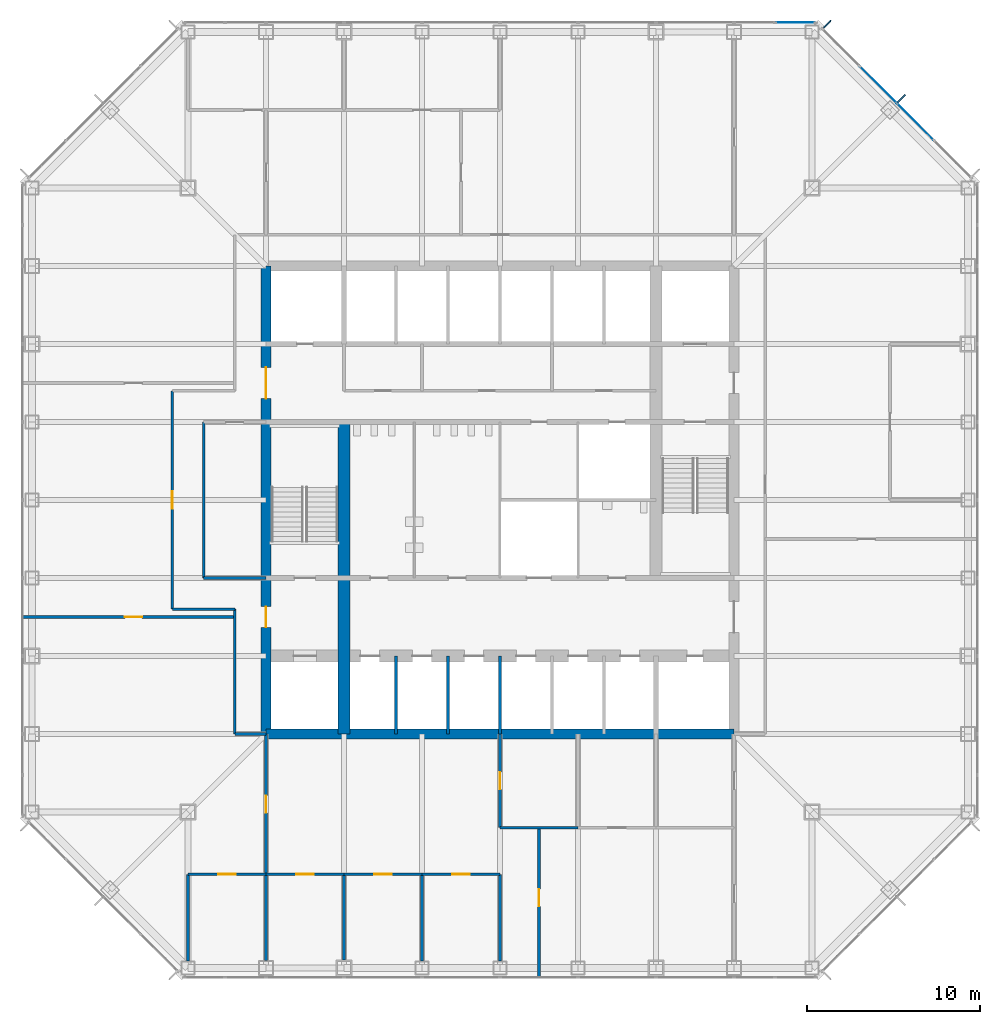
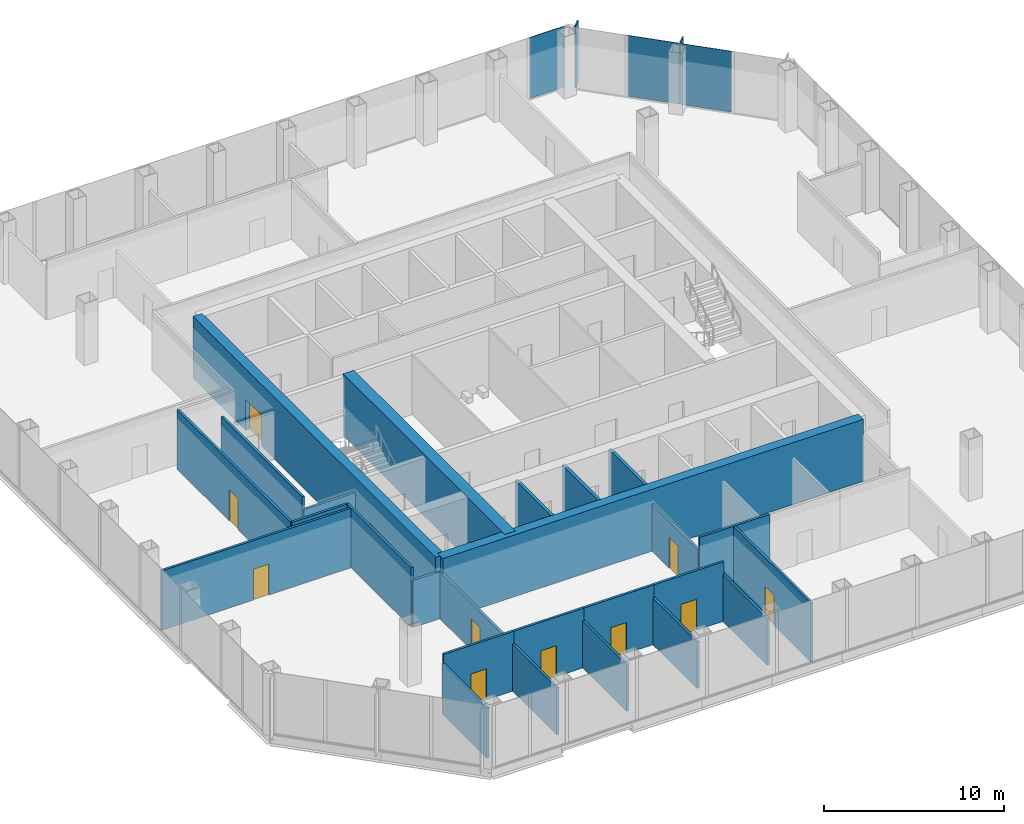
# One storey, part 8 of 13: 26 walls, 11 doors, 5 plates, 11 openings, 2 elements without a shape of their own.
"""IFC4 building model written with IfcOpenShell, lengths in metres."""

from ifc_helpers import new_model, si_unit, direction, frame, frame_2d, origin, origin_2d, place, context, subcontext, project, spatial, rectangle, extrude, material, layer, layer_set, type_object, element, fill, aggregate, save


model = new_model("IFC4")

# Units and contexts
model_context = context("Model", 3, precision=1e-05, world=origin(), true_north=direction((0.0, 1.0)))
body_context = subcontext(model_context, "Body", "Model", "MODEL_VIEW")
ifc_project = project(units=[si_unit("LENGTHUNIT", "METRE"), si_unit("AREAUNIT", "SQUARE_METRE"), si_unit("VOLUMEUNIT", "CUBIC_METRE"), si_unit("PLANEANGLEUNIT", "RADIAN"), si_unit("MASSUNIT", "GRAM", prefix="KILO")], contexts=[model_context])

# Site, building, storey
site_placement = place(None, origin())
site = spatial("IfcSite", under=ifc_project, at=site_placement, CompositionType="ELEMENT")
building_placement = place(site_placement, origin())
building = spatial("IfcBuilding", under=site, at=building_placement, Name="Corais Broadcast Tower", CompositionType="ELEMENT")
storey_placement = place(building_placement, frame((0.0, 0.0, 96.199951171875)))
storey = spatial("IfcBuildingStorey", under=building, at=storey_placement, Name="L21", CompositionType="ELEMENT", Elevation=96.199951171875)

# Curtain wall, plate
ifc_material_1 = material(Name="Aluminium and glass", Category="aluminium")
curtain_wall_type = type_object("IfcCurtainWallType", Name="Unitised fritted curtain wall CW1", PredefinedType="NOTDEFINED", material=ifc_material_1)
curtain_wall_1_placement = place(storey_placement, origin())
curtain_wall_1 = element("IfcCurtainWall", 1, at=curtain_wall_1_placement, inside=storey, type_object=curtain_wall_type, Name="CW1 curtain wall L21 5", PredefinedType="NOTDEFINED")
ifc_material_2 = material(Name="Ceramic-fritted laminated glass", Category="glass")
ifc_layer_1 = layer(ifc_material_2, 0.030029296875)
ifc_layer_set_1 = layer_set([ifc_layer_1], Name="Ceramic-fritted laminated glass")
plate_type_1 = type_object("IfcPlateType", Name="Fritted glass panel CW1", PredefinedType="CURTAIN_PANEL", material=ifc_layer_set_1)
plate_1_placement = place(storey_placement, frame((50.9658203125, 48.81201171875, 0.06494140625), z_axis=(0.0, 0.0, 1.0), x_axis=(0.707106781187, -0.707106781187, 0.0)))
plate_1 = element("IfcPlate", 2, at=plate_1_placement, type_object=plate_type_1, Name="CW1 panel 3", PredefinedType="CURTAIN_PANEL", context=body_context, shape_type="SweptSolid", body=[
    extrude(rectangle(XDim=2.98095703125, YDim=0.030029296875, at=origin_2d()), origin(), (0.0, 0.0, 1.0), 4.135009765625),
])

curtain_wall_2_placement = place(storey_placement, origin())
curtain_wall_2 = element("IfcCurtainWall", 3, at=curtain_wall_2_placement, inside=storey, type_object=curtain_wall_type, Name="CW1 curtain wall L21 4", PredefinedType="NOTDEFINED")
ifc_material_3 = material(Name="Clear laminated glass", Category="glass")
ifc_layer_2 = layer(ifc_material_3, 0.033935546875)
ifc_layer_set_2 = layer_set([ifc_layer_2], Name="Clear laminated glass")
plate_type_2 = type_object("IfcPlateType", Name="Operable glass panel CW1", PredefinedType="CURTAIN_PANEL", material=ifc_layer_set_2)
plate_2_placement = place(storey_placement, frame((44.029541015625, 54.550048828125, 0.06494140625), z_axis=(0.0, 0.0, 1.0), x_axis=(1.0, 0.0, 0.0)))
plate_2 = element("IfcPlate", 4, at=plate_2_placement, type_object=plate_type_2, Name="CW1 operable panel 10", PredefinedType="CURTAIN_PANEL", context=body_context, shape_type="SweptSolid", body=[
    extrude(rectangle(XDim=2.266357421875, YDim=0.033935546875, at=origin_2d()), origin(), (0.0, 0.0, 1.0), 4.135009765625),
])
aggregate(curtain_wall_2, [plate_2])

# Plate
plate_3_placement = place(storey_placement, frame((48.81201171875, 50.9658203125, 0.06494140625), z_axis=(0.0, 0.0, 1.0), x_axis=(0.707106781187, -0.707106781187, 0.0)))
plate_3 = element("IfcPlate", 5, at=plate_3_placement, type_object=plate_type_2, Name="CW1 operable panel 2", PredefinedType="CURTAIN_PANEL", context=body_context, shape_type="SweptSolid", body=[
    extrude(rectangle(XDim=2.98095703125, YDim=0.033935546875, at=origin_2d()), origin(), (0.0, 0.0, 1.0), 4.135009765625),
])

aggregate(curtain_wall_1, [plate_3, plate_1])

# Plates
ifc_material_4 = material(Name="Granite stone cladding", Category="masonry")
ifc_layer_3 = layer(ifc_material_4, 0.080078125)
ifc_layer_set_3 = layer_set([ifc_layer_3], Name="Granite stone cladding")
plate_type_3 = type_object("IfcPlateType", Name="Stone screen fin 80x600", PredefinedType="USERDEFINED", material=ifc_layer_set_3)
for number, where, z_axis, x_axis, name in (
    (6, (45.885009765625, 54.4541015625, 0.0), (0.0, 0.0, 1.0), (0.707106781187, -0.707106781187, 0.0), "SF1 stone screen fin L21"),
    (7, (50.169677734375, 50.169677734375, 0.0), (0.0, 0.0, 1.0), (0.707106781187, -0.707106781187, 0.0), "SF1 stone screen fin L21"),
):
    element("IfcPlate", number, at=place(storey_placement, frame(where, z_axis=z_axis, x_axis=x_axis)), inside=storey, type_object=plate_type_3, Name=name, ObjectType="STONE SCREEN FIN", PredefinedType="USERDEFINED", context=body_context, shape_type="SweptSolid", body=[
        extrude(rectangle(XDim=0.080078125, YDim=0.60009765625, at=origin_2d()), origin(), (0.0, 0.0, 1.0), 4.199951171875),
    ])

# Walls
ifc_material_5 = material(Name="Concrete C50/60", Category="concrete")
ifc_layer_4 = layer(ifc_material_5, 0.699951171875)
ifc_layer_set_4 = layer_set([ifc_layer_4], Name="Concrete C50/60")
wall_type_1 = type_object("IfcWallType", Name="Core spine wall 700", PredefinedType="SHEAR", material=ifc_layer_set_4)
wall_1_placement = place(storey_placement, frame((18.0, 13.5, 0.0), z_axis=(0.0, 0.0, 1.0), x_axis=(0.0, 1.0, 0.0)))
element("IfcWall", 8, at=wall_1_placement, inside=storey, type_object=wall_type_1, Name="CR700 core wall X18A L21", PredefinedType="SHEAR", context=body_context, shape_type="SweptSolid", body=[
    extrude(rectangle(XDim=18.0, YDim=0.699951171875, at=frame_2d((9.0, 0.0))), origin(), (0.0, 0.0, 1.0), 4.199951171875),
])
ifc_material_6 = material(Name="Concrete C50/60", Category="concrete")
ifc_layer_5 = layer(ifc_material_6, 0.60009765625)
ifc_layer_set_5 = layer_set([ifc_layer_5], Name="Concrete C50/60")
wall_type_2 = type_object("IfcWallType", Name="Core wall 600", PredefinedType="SHEAR", material=ifc_layer_set_5)
wall_2_placement = place(storey_placement, frame((13.5, 13.5, 0.0), z_axis=(0.0, 0.0, 1.0), x_axis=(1.0, 0.0, 0.0)))
element("IfcWall", 9, at=wall_2_placement, inside=storey, type_object=wall_type_2, Name="CR600 core wall S L21", PredefinedType="SHEAR", context=body_context, shape_type="SweptSolid", body=[
    extrude(rectangle(XDim=27.0, YDim=0.60009765625, at=frame_2d((13.5, 0.0))), origin(), (0.0, 0.0, 1.0), 4.199951171875),
])

# Wall, openings, doors
wall_3_placement = place(storey_placement, frame((13.5, 40.5, 0.0), z_axis=(0.0, 0.0, 1.0), x_axis=(0.0, -1.0, 0.0)))
wall_3 = element("IfcWall", 10, at=wall_3_placement, inside=storey, type_object=wall_type_2, Name="CR600 core wall W L21", PredefinedType="SHEAR", context=body_context, shape_type="SweptSolid", body=[
    extrude(rectangle(XDim=27.0, YDim=0.60009765625, at=frame_2d((13.5, 0.0))), origin(), (0.0, 0.0, 1.0), 4.199951171875),
])
opening_1_placement = place(wall_3_placement, frame((19.64990234375, 0.0, 0.0)))
opening_1 = element("IfcOpeningElement", 11, at=opening_1_placement, cuts=wall_3, Name="Opening FD1", PredefinedType="OPENING", context=body_context, shape_type="SweptSolid", body=[
    extrude(rectangle(XDim=1.199951171875, YDim=2.10009765625, at=frame_2d((0.60009765625, 1.050048828125))), frame((0.0, 0.31005859375, 0.0), z_axis=(0.0, -1.0, 0.0), x_axis=(1.0, 0.0, 0.0)), (0.0, 0.0, 1.0), 0.6201171875),
])
opening_2_placement = place(wall_3_placement, frame((5.85009765625, 0.0, 0.0)))
opening_2 = element("IfcOpeningElement", 12, at=opening_2_placement, cuts=wall_3, Name="Opening FD2", PredefinedType="OPENING", context=body_context, shape_type="SweptSolid", body=[
    extrude(rectangle(XDim=1.800048828125, YDim=2.10009765625, at=frame_2d((0.89990234375, 1.050048828125))), frame((0.0, 0.31005859375, 0.0), z_axis=(0.0, -1.0, 0.0), x_axis=(1.0, 0.0, 0.0)), (0.0, 0.0, 1.0), 0.6201171875),
])
ifc_material_7 = material(Name="Steel fire door", Category="steel")
door_type_1 = type_object("IfcDoorType", Name="Fire door 1200x2100", OperationType="SINGLE_SWING_LEFT", PredefinedType="DOOR", material=ifc_material_7)
door_1_placement = place(opening_1_placement, origin())
door_1 = element("IfcDoor", 13, at=door_1_placement, inside=storey, type_object=door_type_1, Name="FD1 fire lobby A door L21", OperationType="SINGLE_SWING_RIGHT", OverallHeight=2.10009765625, OverallWidth=1.199951171875, PredefinedType="DOOR", context=body_context, shape_type="SweptSolid", body=[
    extrude(rectangle(XDim=1.199951171875, YDim=2.10009765625, at=frame_2d((0.60009765625, 1.050048828125))), frame((0.0, 0.02490234375, 0.0), z_axis=(0.0, -1.0, 0.0), x_axis=(1.0, 0.0, 0.0)), (0.0, 0.0, 1.0), 0.050048828125),
])
fill(opening_1, door_1)
ifc_material_8 = material(Name="Steel fire door", Category="steel")
door_type_2 = type_object("IfcDoorType", Name="Fire door pair 1800x2100", OperationType="DOUBLE_DOOR_SINGLE_SWING", PredefinedType="DOOR", material=ifc_material_8)
door_2_placement = place(opening_2_placement, origin())
door_2 = element("IfcDoor", 14, at=door_2_placement, inside=storey, type_object=door_type_2, Name="FD2 lift lobby door L21", OperationType="SINGLE_SWING_LEFT", OverallHeight=2.10009765625, OverallWidth=1.800048828125, PredefinedType="DOOR", context=body_context, shape_type="SweptSolid", body=[
    extrude(rectangle(XDim=1.800048828125, YDim=2.10009765625, at=frame_2d((0.89990234375, 1.050048828125))), frame((0.0, 0.02490234375, 0.0), z_axis=(0.0, -1.0, 0.0), x_axis=(1.0, 0.0, 0.0)), (0.0, 0.0, 1.0), 0.050048828125),
])
fill(opening_2, door_2)

# Wall, opening, door
ifc_material_9 = material(Name="Gypsum board on steel studs", Category="steel")
ifc_layer_6 = layer(ifc_material_9, 0.14990234375)
ifc_layer_set_6 = layer_set([ifc_layer_6], Name="Gypsum board on steel studs")
wall_type_3 = type_object("IfcWallType", Name="Partition 150", PredefinedType="PARTITIONING", material=ifc_layer_set_6)
wall_4_placement = place(storey_placement, frame((8.10009765625, 33.300048828125, 0.0), z_axis=(0.0, 0.0, 1.0), x_axis=(0.0, -1.0, 0.0)))
wall_4 = element("IfcWall", 15, at=wall_4_placement, inside=storey, type_object=wall_type_3, Name="IW3 corridor wall L21", PredefinedType="PARTITIONING", context=body_context, shape_type="SweptSolid", body=[
    extrude(rectangle(XDim=12.60009765625, YDim=0.14990234375, at=frame_2d((6.300048828125, 0.0))), origin(), (0.0, 0.0, 1.0), 4.0400390625),
])
opening_3_placement = place(wall_4_placement, frame((5.800048828125, 0.0, 0.0)))
opening_3 = element("IfcOpeningElement", 16, at=opening_3_placement, cuts=wall_4, Name="Opening D1", PredefinedType="OPENING", context=body_context, shape_type="SweptSolid", body=[
    extrude(rectangle(XDim=1.0, YDim=2.10009765625, at=frame_2d((0.5, 1.050048828125))), frame((0.0, 0.0849609375, 0.0), z_axis=(0.0, -1.0, 0.0), x_axis=(1.0, 0.0, 0.0)), (0.0, 0.0, 1.0), 0.169921875),
])
ifc_material_10 = material(Name="Timber door", Category="wood")
door_type_3 = type_object("IfcDoorType", Name="Single door 1000x2100", OperationType="SINGLE_SWING_LEFT", PredefinedType="DOOR", material=ifc_material_10)
door_3_placement = place(opening_3_placement, origin())
door_3 = element("IfcDoor", 17, at=door_3_placement, inside=storey, type_object=door_type_3, Name="D1 workplace door L21", OperationType="SINGLE_SWING_LEFT", OverallHeight=2.10009765625, OverallWidth=1.0, PredefinedType="DOOR", context=body_context, shape_type="SweptSolid", body=[
    extrude(rectangle(XDim=1.0, YDim=2.10009765625, at=frame_2d((0.5, 1.050048828125))), frame((0.0, 0.02490234375, 0.0), z_axis=(0.0, -1.0, 0.0), x_axis=(1.0, 0.0, 0.0)), (0.0, 0.0, 1.0), 0.050048828125),
])
fill(opening_3, door_3)

# Walls
wall_5_placement = place(storey_placement, frame((11.699951171875, 20.699951171875, 0.0), z_axis=(0.0, 0.0, 1.0), x_axis=(0.0, -1.0, 0.0)))
element("IfcWall", 18, at=wall_5_placement, inside=storey, type_object=wall_type_3, Name="IW3 corridor wall L21", PredefinedType="PARTITIONING", context=body_context, shape_type="SweptSolid", body=[
    extrude(rectangle(XDim=7.199951171875, YDim=0.14990234375, at=frame_2d((3.60009765625, 0.0))), origin(), (0.0, 0.0, 1.0), 4.0400390625),
])
wall_6_placement = place(storey_placement, frame((8.10009765625, 20.699951171875, 0.0), z_axis=(0.0, 0.0, 1.0), x_axis=(1.0, 0.0, 0.0)))
element("IfcWall", 19, at=wall_6_placement, inside=storey, type_object=wall_type_3, Name="IW3 corridor wall L21", PredefinedType="PARTITIONING", context=body_context, shape_type="SweptSolid", body=[
    extrude(rectangle(XDim=3.599853515625, YDim=0.14990234375, at=frame_2d((1.7998046875, 0.0))), origin(), (0.0, 0.0, 1.0), 4.0400390625),
])
wall_7_placement = place(storey_placement, frame((11.699951171875, 13.5, 0.0), z_axis=(0.0, 0.0, 1.0), x_axis=(1.0, 0.0, 0.0)))
element("IfcWall", 20, at=wall_7_placement, inside=storey, type_object=wall_type_3, Name="IW3 corridor wall L21", PredefinedType="PARTITIONING", context=body_context, shape_type="SweptSolid", body=[
    extrude(rectangle(XDim=1.81005859375, YDim=0.14990234375, at=frame_2d((0.905029296875, 0.0))), origin(), (0.0, 0.0, 1.0), 3.18896484375),
])
wall_8_placement = place(storey_placement, frame((13.5, 0.43505859375, 0.0), z_axis=(0.0, 0.0, 1.0), x_axis=(0.0, 1.0, 0.0)))
element("IfcWall", 21, at=wall_8_placement, inside=storey, type_object=wall_type_3, Name="IW3 partition L21", PredefinedType="PARTITIONING", context=body_context, shape_type="SweptSolid", body=[
    extrude(rectangle(XDim=4.96484375, YDim=0.14990234375, at=frame_2d((2.482421875, 0.0))), origin(), (0.0, 0.0, 1.0), 3.18896484375),
])

# Wall, opening, door
wall_9_placement = place(storey_placement, frame((13.5, 5.39990234375, 0.0), z_axis=(0.0, 0.0, 1.0), x_axis=(-1.0, 0.0, 0.0)))
wall_9 = element("IfcWall", 22, at=wall_9_placement, inside=storey, type_object=wall_type_3, Name="IW3 partition L21", PredefinedType="PARTITIONING", context=body_context, shape_type="SweptSolid", body=[
    extrude(rectangle(XDim=4.5, YDim=0.14990234375, at=frame_2d((2.25, 0.0))), origin(), (0.0, 0.0, 1.0), 4.0400390625),
])
opening_4_placement = place(wall_9_placement, frame((1.75, 0.0, 0.0)))
opening_4 = element("IfcOpeningElement", 23, at=opening_4_placement, cuts=wall_9, Name="Opening D1", PredefinedType="OPENING", context=body_context, shape_type="SweptSolid", body=[
    extrude(rectangle(XDim=1.0, YDim=2.10009765625, at=frame_2d((0.5, 1.050048828125))), frame((0.0, 0.0849609375, 0.0), z_axis=(0.0, -1.0, 0.0), x_axis=(1.0, 0.0, 0.0)), (0.0, 0.0, 1.0), 0.169921875),
])
door_4_placement = place(opening_4_placement, origin())
door_4 = element("IfcDoor", 24, at=door_4_placement, inside=storey, type_object=door_type_3, Name="D1 Study room door", OperationType="SINGLE_SWING_LEFT", OverallHeight=2.10009765625, OverallWidth=1.0, PredefinedType="DOOR", context=body_context, shape_type="SweptSolid", body=[
    extrude(rectangle(XDim=1.0, YDim=2.10009765625, at=frame_2d((0.5, 1.050048828125))), frame((0.0, 0.02490234375, 0.0), z_axis=(0.0, -1.0, 0.0), x_axis=(1.0, 0.0, 0.0)), (0.0, 0.0, 1.0), 0.050048828125),
])
fill(opening_4, door_4)

# Walls
wall_10_placement = place(storey_placement, frame((9.0, 5.39990234375, 0.0), z_axis=(0.0, 0.0, 1.0), x_axis=(0.0, -1.0, 0.0)))
element("IfcWall", 25, at=wall_10_placement, inside=storey, type_object=wall_type_3, Name="IW3 partition L21", PredefinedType="PARTITIONING", context=body_context, shape_type="SweptSolid", body=[
    extrude(rectangle(XDim=4.989990234375, YDim=0.14990234375, at=frame_2d((2.4951171875, 0.0))), origin(), (0.0, 0.0, 1.0), 3.428955078125),
])
wall_11_placement = place(storey_placement, frame((18.0, 0.4599609375, 0.0), z_axis=(0.0, 0.0, 1.0), x_axis=(0.0, 1.0, 0.0)))
element("IfcWall", 26, at=wall_11_placement, inside=storey, type_object=wall_type_3, Name="IW3 partition L21", PredefinedType="PARTITIONING", context=body_context, shape_type="SweptSolid", body=[
    extrude(rectangle(XDim=4.93994140625, YDim=0.14990234375, at=frame_2d((2.469970703125, 0.0))), origin(), (0.0, 0.0, 1.0), 3.18896484375),
])

# Wall, opening, door
wall_12_placement = place(storey_placement, frame((18.0, 5.39990234375, 0.0), z_axis=(0.0, 0.0, 1.0), x_axis=(-1.0, 0.0, 0.0)))
wall_12 = element("IfcWall", 27, at=wall_12_placement, inside=storey, type_object=wall_type_3, Name="IW3 partition L21", PredefinedType="PARTITIONING", context=body_context, shape_type="SweptSolid", body=[
    extrude(rectangle(XDim=4.5, YDim=0.14990234375, at=frame_2d((2.25, 0.0))), origin(), (0.0, 0.0, 1.0), 4.0400390625),
])
opening_5_placement = place(wall_12_placement, frame((1.75, 0.0, 0.0)))
opening_5 = element("IfcOpeningElement", 28, at=opening_5_placement, cuts=wall_12, Name="Opening D1", PredefinedType="OPENING", context=body_context, shape_type="SweptSolid", body=[
    extrude(rectangle(XDim=1.0, YDim=2.10009765625, at=frame_2d((0.5, 1.050048828125))), frame((0.0, 0.0849609375, 0.0), z_axis=(0.0, -1.0, 0.0), x_axis=(1.0, 0.0, 0.0)), (0.0, 0.0, 1.0), 0.169921875),
])
door_5_placement = place(opening_5_placement, origin())
door_5 = element("IfcDoor", 29, at=door_5_placement, inside=storey, type_object=door_type_3, Name="D1 Study room door", OperationType="SINGLE_SWING_LEFT", OverallHeight=2.10009765625, OverallWidth=1.0, PredefinedType="DOOR", context=body_context, shape_type="SweptSolid", body=[
    extrude(rectangle(XDim=1.0, YDim=2.10009765625, at=frame_2d((0.5, 1.050048828125))), frame((0.0, 0.02490234375, 0.0), z_axis=(0.0, -1.0, 0.0), x_axis=(1.0, 0.0, 0.0)), (0.0, 0.0, 1.0), 0.050048828125),
])
fill(opening_5, door_5)

# Wall
wall_13_placement = place(storey_placement, frame((22.5, 0.409912109375, 0.0), z_axis=(0.0, 0.0, 1.0), x_axis=(0.0, 1.0, 0.0)))
element("IfcWall", 30, at=wall_13_placement, inside=storey, type_object=wall_type_3, Name="IW3 partition L21", PredefinedType="PARTITIONING", context=body_context, shape_type="SweptSolid", body=[
    extrude(rectangle(XDim=4.989990234375, YDim=0.14990234375, at=frame_2d((2.4951171875, 0.0))), origin(), (0.0, 0.0, 1.0), 3.18896484375),
])

# Wall, opening, door
wall_14_placement = place(storey_placement, frame((22.5, 5.39990234375, 0.0), z_axis=(0.0, 0.0, 1.0), x_axis=(-1.0, 0.0, 0.0)))
wall_14 = element("IfcWall", 31, at=wall_14_placement, inside=storey, type_object=wall_type_3, Name="IW3 partition L21", PredefinedType="PARTITIONING", context=body_context, shape_type="SweptSolid", body=[
    extrude(rectangle(XDim=4.5, YDim=0.14990234375, at=frame_2d((2.25, 0.0))), origin(), (0.0, 0.0, 1.0), 4.0400390625),
])
opening_6_placement = place(wall_14_placement, frame((1.75, 0.0, 0.0)))
opening_6 = element("IfcOpeningElement", 32, at=opening_6_placement, cuts=wall_14, Name="Opening D1", PredefinedType="OPENING", context=body_context, shape_type="SweptSolid", body=[
    extrude(rectangle(XDim=1.0, YDim=2.10009765625, at=frame_2d((0.5, 1.050048828125))), frame((0.0, 0.0849609375, 0.0), z_axis=(0.0, -1.0, 0.0), x_axis=(1.0, 0.0, 0.0)), (0.0, 0.0, 1.0), 0.169921875),
])
door_6_placement = place(opening_6_placement, origin())
door_6 = element("IfcDoor", 33, at=door_6_placement, inside=storey, type_object=door_type_3, Name="D1 Study room door", OperationType="SINGLE_SWING_LEFT", OverallHeight=2.10009765625, OverallWidth=1.0, PredefinedType="DOOR", context=body_context, shape_type="SweptSolid", body=[
    extrude(rectangle(XDim=1.0, YDim=2.10009765625, at=frame_2d((0.5, 1.050048828125))), frame((0.0, 0.02490234375, 0.0), z_axis=(0.0, -1.0, 0.0), x_axis=(1.0, 0.0, 0.0)), (0.0, 0.0, 1.0), 0.050048828125),
])
fill(opening_6, door_6)

# Wall
wall_15_placement = place(storey_placement, frame((27.0, 0.409912109375, 0.0), z_axis=(0.0, 0.0, 1.0), x_axis=(0.0, 1.0, 0.0)))
element("IfcWall", 34, at=wall_15_placement, inside=storey, type_object=wall_type_3, Name="IW3 partition L21", PredefinedType="PARTITIONING", context=body_context, shape_type="SweptSolid", body=[
    extrude(rectangle(XDim=4.989990234375, YDim=0.14990234375, at=frame_2d((2.4951171875, 0.0))), origin(), (0.0, 0.0, 1.0), 3.18896484375),
])

# Wall, opening, door
wall_16_placement = place(storey_placement, frame((27.0, 5.39990234375, 0.0), z_axis=(0.0, 0.0, 1.0), x_axis=(-1.0, 0.0, 0.0)))
wall_16 = element("IfcWall", 35, at=wall_16_placement, inside=storey, type_object=wall_type_3, Name="IW3 partition L21", PredefinedType="PARTITIONING", context=body_context, shape_type="SweptSolid", body=[
    extrude(rectangle(XDim=4.5, YDim=0.14990234375, at=frame_2d((2.25, 0.0))), origin(), (0.0, 0.0, 1.0), 4.0400390625),
])
opening_7_placement = place(wall_16_placement, frame((1.75, 0.0, 0.0)))
opening_7 = element("IfcOpeningElement", 36, at=opening_7_placement, cuts=wall_16, Name="Opening D1", PredefinedType="OPENING", context=body_context, shape_type="SweptSolid", body=[
    extrude(rectangle(XDim=1.0, YDim=2.10009765625, at=frame_2d((0.5, 1.050048828125))), frame((0.0, 0.0849609375, 0.0), z_axis=(0.0, -1.0, 0.0), x_axis=(1.0, 0.0, 0.0)), (0.0, 0.0, 1.0), 0.169921875),
])
door_7_placement = place(opening_7_placement, origin())
door_7 = element("IfcDoor", 37, at=door_7_placement, inside=storey, type_object=door_type_3, Name="D1 Study room door", OperationType="SINGLE_SWING_LEFT", OverallHeight=2.10009765625, OverallWidth=1.0, PredefinedType="DOOR", context=body_context, shape_type="SweptSolid", body=[
    extrude(rectangle(XDim=1.0, YDim=2.10009765625, at=frame_2d((0.5, 1.050048828125))), frame((0.0, 0.02490234375, 0.0), z_axis=(0.0, -1.0, 0.0), x_axis=(1.0, 0.0, 0.0)), (0.0, 0.0, 1.0), 0.050048828125),
])
fill(opening_7, door_7)

# Walls
wall_17_placement = place(storey_placement, frame((9.89990234375, 22.5, 0.0), z_axis=(0.0, 0.0, 1.0), x_axis=(1.0, 0.0, 0.0)))
element("IfcWall", 38, at=wall_17_placement, inside=storey, type_object=wall_type_3, Name="IW3 partition L21", PredefinedType="PARTITIONING", context=body_context, shape_type="SweptSolid", body=[
    extrude(rectangle(XDim=3.60009765625, YDim=0.14990234375, at=frame_2d((1.800048828125, 0.0))), origin(), (0.0, 0.0, 1.0), 3.18896484375),
])
wall_18_placement = place(storey_placement, frame((9.89990234375, 31.5, 0.0), z_axis=(0.0, 0.0, 1.0), x_axis=(0.0, -1.0, 0.0)))
element("IfcWall", 39, at=wall_18_placement, inside=storey, type_object=wall_type_3, Name="IW3 partition L21", PredefinedType="PARTITIONING", context=body_context, shape_type="SweptSolid", body=[
    extrude(rectangle(XDim=9.0, YDim=0.14990234375, at=frame_2d((4.5, 0.0))), origin(), (0.0, 0.0, 1.0), 4.0400390625),
])
wall_19_placement = place(storey_placement, frame((27.0, 8.10009765625, 0.0), z_axis=(0.0, 0.0, 1.0), x_axis=(1.0, 0.0, 0.0)))
element("IfcWall", 40, at=wall_19_placement, inside=storey, type_object=wall_type_3, Name="IW3 partition L21", PredefinedType="PARTITIONING", context=body_context, shape_type="SweptSolid", body=[
    extrude(rectangle(XDim=4.5, YDim=0.14990234375, at=frame_2d((2.25, 0.0))), origin(), (0.0, 0.0, 1.0), 4.0400390625),
])

# Wall, opening, door
wall_20_placement = place(storey_placement, frame((27.0, 13.5, 0.0), z_axis=(0.0, 0.0, 1.0), x_axis=(0.0, -1.0, 0.0)))
wall_20 = element("IfcWall", 41, at=wall_20_placement, inside=storey, type_object=wall_type_3, Name="IW3 partition L21", PredefinedType="PARTITIONING", context=body_context, shape_type="SweptSolid", body=[
    extrude(rectangle(XDim=5.39990234375, YDim=0.14990234375, at=frame_2d((2.699951171875, 0.0))), origin(), (0.0, 0.0, 1.0), 3.18896484375),
])
opening_8_placement = place(wall_20_placement, frame((2.199951171875, 0.0, 0.0)))
opening_8 = element("IfcOpeningElement", 42, at=opening_8_placement, cuts=wall_20, Name="Opening D1", PredefinedType="OPENING", context=body_context, shape_type="SweptSolid", body=[
    extrude(rectangle(XDim=1.0, YDim=2.10009765625, at=frame_2d((0.5, 1.050048828125))), frame((0.0, 0.0849609375, 0.0), z_axis=(0.0, -1.0, 0.0), x_axis=(1.0, 0.0, 0.0)), (0.0, 0.0, 1.0), 0.169921875),
])
door_8_placement = place(opening_8_placement, origin())
door_8 = element("IfcDoor", 43, at=door_8_placement, inside=storey, type_object=door_type_3, Name="D1 Tutor office door", OperationType="SINGLE_SWING_LEFT", OverallHeight=2.10009765625, OverallWidth=1.0, PredefinedType="DOOR", context=body_context, shape_type="SweptSolid", body=[
    extrude(rectangle(XDim=1.0, YDim=2.10009765625, at=frame_2d((0.5, 1.050048828125))), frame((0.0, 0.02490234375, 0.0), z_axis=(0.0, -1.0, 0.0), x_axis=(1.0, 0.0, 0.0)), (0.0, 0.0, 1.0), 0.050048828125),
])
fill(opening_8, door_8)

wall_21_placement = place(storey_placement, frame((29.25, 8.10009765625, 0.0), z_axis=(0.0, 0.0, 1.0), x_axis=(0.0, -1.0, 0.0)))
wall_21 = element("IfcWall", 44, at=wall_21_placement, inside=storey, type_object=wall_type_3, Name="IW3 partition L21", PredefinedType="PARTITIONING", context=body_context, shape_type="SweptSolid", body=[
    extrude(rectangle(XDim=8.6201171875, YDim=0.14990234375, at=frame_2d((4.31005859375, 0.0))), origin(), (0.0, 0.0, 1.0), 4.0400390625),
])
opening_9_placement = place(wall_21_placement, frame((3.550048828125, 0.0, 0.0)))
opening_9 = element("IfcOpeningElement", 45, at=opening_9_placement, cuts=wall_21, Name="Opening D1", PredefinedType="OPENING", context=body_context, shape_type="SweptSolid", body=[
    extrude(rectangle(XDim=1.0, YDim=2.10009765625, at=frame_2d((0.5, 1.050048828125))), frame((0.0, 0.0849609375, 0.0), z_axis=(0.0, -1.0, 0.0), x_axis=(1.0, 0.0, 0.0)), (0.0, 0.0, 1.0), 0.169921875),
])
door_9_placement = place(opening_9_placement, origin())
door_9 = element("IfcDoor", 46, at=door_9_placement, inside=storey, type_object=door_type_3, Name="D1 team room door L21", OperationType="SINGLE_SWING_LEFT", OverallHeight=2.10009765625, OverallWidth=1.0, PredefinedType="DOOR", context=body_context, shape_type="SweptSolid", body=[
    extrude(rectangle(XDim=1.0, YDim=2.10009765625, at=frame_2d((0.5, 1.050048828125))), frame((0.0, 0.02490234375, 0.0), z_axis=(0.0, -1.0, 0.0), x_axis=(1.0, 0.0, 0.0)), (0.0, 0.0, 1.0), 0.050048828125),
])
fill(opening_9, door_9)

wall_22_placement = place(storey_placement, frame((13.5, 5.39990234375, 0.0), z_axis=(0.0, 0.0, 1.0), x_axis=(0.0, 1.0, 0.0)))
wall_22 = element("IfcWall", 47, at=wall_22_placement, inside=storey, type_object=wall_type_3, Name="IW3 partition L21", PredefinedType="PARTITIONING", context=body_context, shape_type="SweptSolid", body=[
    extrude(rectangle(XDim=8.10009765625, YDim=0.14990234375, at=frame_2d((4.050048828125, 0.0))), origin(), (0.0, 0.0, 1.0), 3.18896484375),
])
opening_10_placement = place(wall_22_placement, frame((3.550048828125, 0.0, 0.0)))
opening_10 = element("IfcOpeningElement", 48, at=opening_10_placement, cuts=wall_22, Name="Opening D1", PredefinedType="OPENING", context=body_context, shape_type="SweptSolid", body=[
    extrude(rectangle(XDim=1.0, YDim=2.10009765625, at=frame_2d((0.5, 1.050048828125))), frame((0.0, 0.0849609375, 0.0), z_axis=(0.0, -1.0, 0.0), x_axis=(1.0, 0.0, 0.0)), (0.0, 0.0, 1.0), 0.169921875),
])
door_10_placement = place(opening_10_placement, origin())
door_10 = element("IfcDoor", 49, at=door_10_placement, inside=storey, type_object=door_type_3, Name="D1 team room door L21", OperationType="SINGLE_SWING_LEFT", OverallHeight=2.10009765625, OverallWidth=1.0, PredefinedType="DOOR", context=body_context, shape_type="SweptSolid", body=[
    extrude(rectangle(XDim=1.0, YDim=2.10009765625, at=frame_2d((0.5, 1.050048828125))), frame((0.0, 0.02490234375, 0.0), z_axis=(0.0, -1.0, 0.0), x_axis=(1.0, 0.0, 0.0)), (0.0, 0.0, 1.0), 0.050048828125),
])
fill(opening_10, door_10)

wall_23_placement = place(storey_placement, frame((11.699951171875, 20.25, 0.0), z_axis=(0.0, 0.0, 1.0), x_axis=(-1.0, 0.0, 0.0)))
wall_23 = element("IfcWall", 50, at=wall_23_placement, inside=storey, type_object=wall_type_3, Name="IW3 partition L21", PredefinedType="PARTITIONING", context=body_context, shape_type="SweptSolid", body=[
    extrude(rectangle(XDim=12.219970703125, YDim=0.14990234375, at=frame_2d((6.10986328125, 0.0))), origin(), (0.0, 0.0, 1.0), 4.0400390625),
])
opening_11_placement = place(wall_23_placement, frame((5.35009765625, 0.0, 0.0)))
opening_11 = element("IfcOpeningElement", 51, at=opening_11_placement, cuts=wall_23, Name="Opening D1", PredefinedType="OPENING", context=body_context, shape_type="SweptSolid", body=[
    extrude(rectangle(XDim=1.0, YDim=2.10009765625, at=frame_2d((0.5, 1.050048828125))), frame((0.0, 0.0849609375, 0.0), z_axis=(0.0, -1.0, 0.0), x_axis=(1.0, 0.0, 0.0)), (0.0, 0.0, 1.0), 0.169921875),
])
door_11_placement = place(opening_11_placement, origin())
door_11 = element("IfcDoor", 52, at=door_11_placement, inside=storey, type_object=door_type_3, Name="D1 team room door L21", OperationType="SINGLE_SWING_LEFT", OverallHeight=2.10009765625, OverallWidth=1.0, PredefinedType="DOOR", context=body_context, shape_type="SweptSolid", body=[
    extrude(rectangle(XDim=1.0, YDim=2.10009765625, at=frame_2d((0.5, 1.050048828125))), frame((0.0, 0.02490234375, 0.0), z_axis=(0.0, -1.0, 0.0), x_axis=(1.0, 0.0, 0.0)), (0.0, 0.0, 1.0), 0.050048828125),
])
fill(opening_11, door_11)

# Walls
ifc_material_11 = material(Name="Concrete blockwork class A, grouted, two-hour", Category="masonry")
ifc_layer_7 = layer(ifc_material_11, 0.199951171875)
ifc_layer_set_7 = layer_set([ifc_layer_7], Name="Concrete blockwork class A, grouted, two-hour")
wall_type_4 = type_object("IfcWallType", Name="Shaft wall 200", PredefinedType="PARTITIONING", material=ifc_layer_set_7)
for number, where, z_axis, x_axis, name in (
    (53, (21.0, 13.5, 0.0), (0.0, 0.0, 1.0), (0.0, 1.0, 0.0), "IW1 shaft wall L21"),
    (54, (24.0, 13.5, 0.0), (0.0, 0.0, 1.0), (0.0, 1.0, 0.0), "IW1 shaft wall L21"),
    (55, (27.0, 13.5, 0.0), (0.0, 0.0, 1.0), (0.0, 1.0, 0.0), "IW1 shaft wall L21"),
):
    element("IfcWall", number, at=place(storey_placement, frame(where, z_axis=z_axis, x_axis=x_axis)), inside=storey, type_object=wall_type_4, Name=name, PredefinedType="PARTITIONING", context=body_context, shape_type="SweptSolid", body=[
        extrude(rectangle(XDim=4.5, YDim=0.199951171875, at=frame_2d((2.25, 0.0))), origin(), (0.0, 0.0, 1.0), 4.0400390625),
    ])

save(model, "model.ifc")
